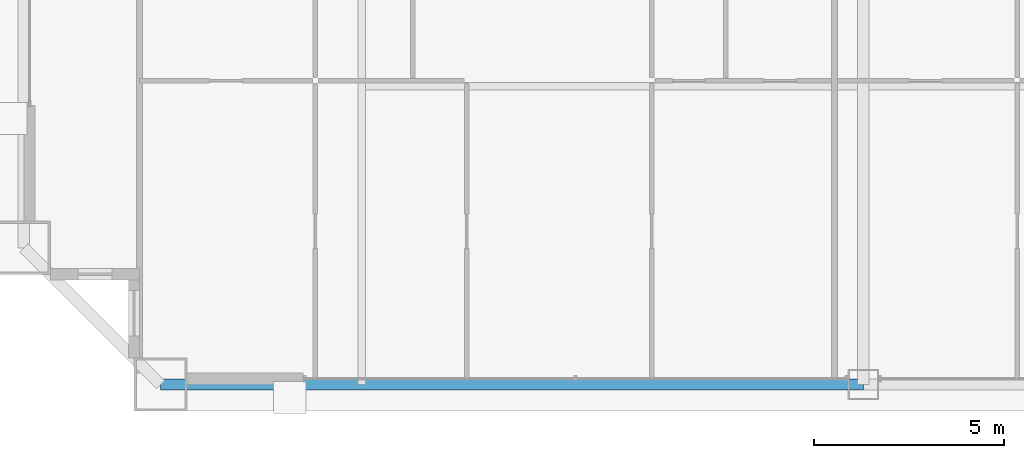
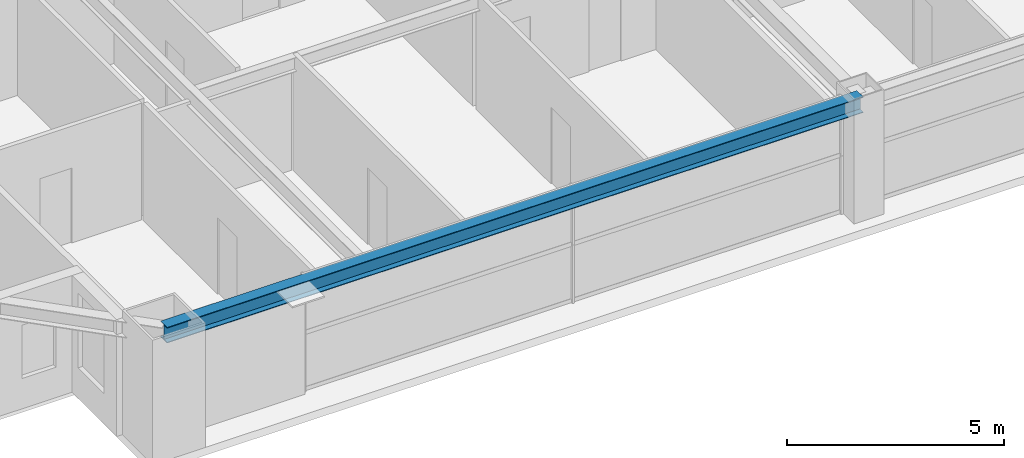
# One storey, part 5 of 38: 1 beam.
"""IFC4 building model written with IfcOpenShell, lengths in metres."""

import ifcopenshell
import ifcopenshell.guid

model = None  # the IFC model being written
_history = None  # IfcOwnerHistory: only IFC2X3 demands one
_inside = {}  # id of a spatial element -> (the spatial element, [elements in it])
_under = {}  # id of a project, library or spatial element -> (it, [spatial elements below it])
_declared = {}  # id of a project -> (the project, [libraries it declares])
_typed = {}  # id of a type object -> (the type object, [elements of that type])
_made_of = {}  # id of a material, layer set ... -> (it, [elements and type objects made of it])


def new_model(schema):
    """Start an empty IFC model of exactly this schema.

    Asked for "IFC4X3", IfcOpenShell would pick the latest addendum, in which some entities
    have other attributes; the version numbers below select the first issue.
    IFC2X3 requires an IfcOwnerHistory on every rooted entity: one is made here for all.
    """
    global model, _history
    if schema == "IFC4X3":
        model = ifcopenshell.file(schema_version=(4, 3, 0, 0))
    else:
        model = ifcopenshell.file(schema=schema)
    _inside.clear()
    _under.clear()
    _declared.clear()
    _typed.clear()
    _made_of.clear()
    _history = None
    if model.schema == "IFC2X3":
        org = make("IfcOrganization", Name="unknown")
        user = make(
            "IfcPersonAndOrganization",
            ThePerson=make("IfcPerson", FamilyName="unknown"),
            TheOrganization=org,
        )
        app = make(
            "IfcApplication",
            ApplicationDeveloper=org,
            Version="unknown",
            ApplicationFullName="unknown",
            ApplicationIdentifier="unknown",
        )
        _history = make(
            "IfcOwnerHistory",
            OwningUser=user,
            OwningApplication=app,
            ChangeAction="ADDED",
            CreationDate=0,
        )
    return model


def make(cls, **values):
    """One entity of the class cls with the attributes given. An attribute that is None is left unset."""
    return model.create_entity(
        cls, **{name: value for name, value in values.items() if value is not None}
    )


def rooted(cls, **values):
    """An entity with a GlobalId (a new one), such as an element, a storey or a relation."""
    return make(cls, GlobalId=ifcopenshell.guid.new(), OwnerHistory=_history, **values)


def si_unit(unit_type, name, prefix=None):
    """IfcSIUnit, for example si_unit("LENGTHUNIT", "METRE", prefix="MILLI")."""
    return make("IfcSIUnit", UnitType=unit_type, Prefix=prefix, Name=name)


def assignment(units):
    """IfcUnitAssignment: the units of a project."""
    return None if units is None else make("IfcUnitAssignment", Units=units)


def point(xyz):
    """IfcCartesianPoint."""
    return None if xyz is None else make("IfcCartesianPoint", Coordinates=xyz)


def direction(xyz):
    """IfcDirection."""
    return None if xyz is None else make("IfcDirection", DirectionRatios=xyz)


def frame(location, z_axis=None, x_axis=None):
    """IfcAxis2Placement3D, a coordinate frame: its origin and axes. An axis left out is left unset."""
    return make(
        "IfcAxis2Placement3D",
        Location=point(location),
        Axis=direction(z_axis),
        RefDirection=direction(x_axis),
    )


def frame_2d(location, x_axis=None):
    """IfcAxis2Placement2D, a coordinate frame in the plane: its origin and x axis."""
    return make(
        "IfcAxis2Placement2D", Location=point(location), RefDirection=direction(x_axis)
    )


def origin():
    """The frame at (0, 0, 0) with its axes left unset."""
    return frame((0.0, 0.0, 0.0))


def origin_2d():
    """The frame at (0, 0) in the plane with its x axis left unset."""
    return frame_2d((0.0, 0.0))


def place(relative_to, where):
    """IfcLocalPlacement: puts the frame where relative to a parent placement (None: the world)."""
    return make(
        "IfcLocalPlacement", PlacementRelTo=relative_to, RelativePlacement=where
    )


def context(
    kind, dimensions, precision=None, world=None, true_north=None, identifier=None
):
    """IfcGeometricRepresentationContext, for example the 3D "Model" context."""
    return make(
        "IfcGeometricRepresentationContext",
        ContextIdentifier=identifier,
        ContextType=kind,
        CoordinateSpaceDimension=dimensions,
        Precision=precision,
        WorldCoordinateSystem=world,
        TrueNorth=true_north,
    )


def subcontext(parent, identifier, kind, view, scale=None):
    """IfcGeometricRepresentationSubContext, for example "Body" below "Model"."""
    return make(
        "IfcGeometricRepresentationSubContext",
        ContextIdentifier=identifier,
        ContextType=kind,
        ParentContext=parent,
        TargetScale=scale,
        TargetView=view,
    )


def project(units=None, contexts=None):
    """IfcProject with its units and contexts."""
    return rooted(
        "IfcProject",
        Name="project",
        RepresentationContexts=contexts,
        UnitsInContext=assignment(units),
    )


def spatial(cls, under=None, at=None, **own):
    """A site, building, storey or space (cls), placed at a placement, below another one or the project."""
    s = rooted(cls, ObjectPlacement=at, **own)
    if under is not None:
        _under.setdefault(under.id(), (under, []))[1].append(s)
    return s


def profile(cls, at=None, kind="AREA", **sizes):
    """A parametric profile (cls). Its sizes go by their IFC names, for example OverallWidth=200.0."""
    return make(cls, ProfileType=kind, Position=at, **sizes)


def i_section(**sizes):
    """IfcIShapeProfileDef."""
    return profile("IfcIShapeProfileDef", **sizes)


def extrude(swept, where, along, depth):
    """IfcExtrudedAreaSolid: the profile swept, set in the frame where, extruded along a direction by depth."""
    return make(
        "IfcExtrudedAreaSolid",
        SweptArea=swept,
        Position=where,
        ExtrudedDirection=direction(along),
        Depth=depth,
    )


def shape(context_of_items, identifier, shape_type, items):
    """IfcShapeRepresentation: the items that make up one representation, for example the "Body"."""
    return make(
        "IfcShapeRepresentation",
        ContextOfItems=context_of_items,
        RepresentationIdentifier=identifier,
        RepresentationType=shape_type,
        Items=items,
    )


def source(mapping_origin, context_of_items, identifier, shape_type, items):
    """IfcRepresentationMap: a shape defined once, which mapped items show again and again."""
    return make(
        "IfcRepresentationMap",
        MappingOrigin=mapping_origin,
        MappedRepresentation=shape(context_of_items, identifier, shape_type, items),
    )


def transform(
    local_origin,
    x_axis=None,
    y_axis=None,
    z_axis=None,
    scale=None,
    scale2=None,
    scale3=None,
    uniform=True,
):
    """IfcCartesianTransformationOperator3D, or its non-uniform kind. x_axis, y_axis, z_axis: its Axis1, 2, 3."""
    if uniform:
        return make(
            "IfcCartesianTransformationOperator3D",
            Axis1=direction(x_axis),
            Axis2=direction(y_axis),
            LocalOrigin=point(local_origin),
            Scale=scale,
            Axis3=direction(z_axis),
        )
    return make(
        "IfcCartesianTransformationOperator3DnonUniform",
        Axis1=direction(x_axis),
        Axis2=direction(y_axis),
        LocalOrigin=point(local_origin),
        Scale=scale,
        Axis3=direction(z_axis),
        Scale2=scale2,
        Scale3=scale3,
    )


def mapped(mapping_source, mapping_target):
    """IfcMappedItem: shows the shape of a source again, moved by a transform."""
    return make(
        "IfcMappedItem", MappingSource=mapping_source, MappingTarget=mapping_target
    )


def material(Name=None, Category=None):
    """IfcMaterial."""
    return make("IfcMaterial", Name=Name, Category=Category)


def material_profile(
    of_material, cross_section, Name=None, Category=None, Priority=None
):
    """IfcMaterialProfile: a cross section and its material."""
    return make(
        "IfcMaterialProfile",
        Name=Name,
        Material=of_material,
        Profile=cross_section,
        Priority=Priority,
        Category=Category,
    )


def profile_set(profiles, Name=None, composite=None):
    """IfcMaterialProfileSet."""
    return make(
        "IfcMaterialProfileSet",
        Name=Name,
        MaterialProfiles=profiles,
        CompositeProfile=composite,
    )


def made_of(thing, what):
    """Note that an element or type object is made of a material, layer set ...; save() writes the relation."""
    if what is not None:
        _made_of.setdefault(what.id(), (what, []))[1].append(thing)
    return thing


def type_object(cls, material=None, **own):
    """A type object (cls), such as IfcWallType, which elements share."""
    return made_of(rooted(cls, **own), material)


def element(
    cls,
    number,
    at=None,
    inside=None,
    cuts=None,
    type_object=None,
    material=None,
    context=None,
    identifier="Body",
    shape_type=None,
    held_by="IfcProductDefinitionShape",
    body=None,
    shapes=None,
    **own,
):
    """One element of the class cls, such as IfcWall. Its Tag is "e" and its number.

    at: its placement. inside: the storey or other place that contains it. cuts: it is an
    opening in that element (IfcRelVoidsElement). A single representation is given by context,
    identifier, shape_type and body (its items); several are given by shapes. held_by: the class
    of the entity that holds the representations. save() writes the other relations.
    """
    e = rooted(cls, Tag="e%d" % number, ObjectPlacement=at, **own)
    if body is not None:
        shapes = [shape(context, identifier, shape_type, body)]
    if shapes is not None:
        e.Representation = make(held_by, Representations=shapes)
    if inside is not None:
        _inside.setdefault(inside.id(), (inside, []))[1].append(e)
    if cuts is not None:
        rooted(
            "IfcRelVoidsElement", RelatingBuildingElement=cuts, RelatedOpeningElement=e
        )
    if type_object is not None:
        _typed.setdefault(type_object.id(), (type_object, []))[1].append(e)
    return made_of(e, material)


def aggregate(whole, parts):
    """IfcRelAggregates: a whole, such as a stair, and the parts it consists of."""
    return rooted("IfcRelAggregates", RelatingObject=whole, RelatedObjects=parts)


def save(model, path):
    """Write the relations noted so far, then the file.

    IfcRelAggregates (storeys below a building ...), IfcRelContainedInSpatialStructure (elements
    in a storey), IfcRelDefinesByType, IfcRelAssociatesMaterial and IfcRelDeclares: one each for
    every whole, place, type object, material and project.
    """
    for whole, parts in _under.values():
        aggregate(whole, parts)
    for where, things in _inside.values():
        rooted(
            "IfcRelContainedInSpatialStructure",
            RelatedElements=things,
            RelatingStructure=where,
        )
    for kind, things in _typed.values():
        rooted("IfcRelDefinesByType", RelatedObjects=things, RelatingType=kind)
    for what, things in _made_of.values():
        rooted("IfcRelAssociatesMaterial", RelatedObjects=things, RelatingMaterial=what)
    for by, libraries in _declared.values():
        rooted("IfcRelDeclares", RelatingContext=by, RelatedDefinitions=libraries)
    model.write(path)


model = new_model("IFC4")

# Units and contexts
model_context = context("Model", 3, precision=1e-05, world=origin(), true_north=direction((0.0, 1.0)))
body_context = subcontext(model_context, "Body", "Model", "MODEL_VIEW")
ifc_project = project(units=[si_unit("LENGTHUNIT", "METRE"), si_unit("AREAUNIT", "SQUARE_METRE"), si_unit("VOLUMEUNIT", "CUBIC_METRE"), si_unit("PLANEANGLEUNIT", "RADIAN"), si_unit("MASSUNIT", "GRAM", prefix="KILO"), si_unit("THERMODYNAMICTEMPERATUREUNIT", "KELVIN"), si_unit("POWERUNIT", "WATT")], contexts=[model_context])

# Site, building, storey
site_placement = place(None, origin())
site = spatial("IfcSite", under=ifc_project, at=site_placement, CompositionType="ELEMENT")
building_placement = place(site_placement, origin())
building = spatial("IfcBuilding", under=site, at=building_placement, Name="Yuzanri Waterfront Tower", CompositionType="ELEMENT")
storey_placement = place(building_placement, frame((0.0, 0.0, 195.0)))
storey = spatial("IfcBuildingStorey", under=building, at=storey_placement, Name="L51", CompositionType="ELEMENT", Elevation=195.0)

# Beam
ifc_material = material(Name="Steel Q355B", Category="steel")
ifc_material_profile = material_profile(ifc_material, i_section(OverallWidth=0.300048828125, OverallDepth=0.43994140625, WebThickness=0.010986328125, FlangeThickness=0.01806640625, at=origin_2d()), Name="HM 440x300x11x18")
ifc_profile_set = profile_set([ifc_material_profile], Name="Steel Q355B")
beam_type = type_object("IfcBeamType", Name="Perimeter Spandrel Q355B HM 440x300", PredefinedType="SPANDREL", material=ifc_profile_set)
shared_shape = source(origin(), body_context, "Body", "SweptSolid", [
    extrude(i_section(OverallWidth=0.300048828125, OverallDepth=0.43994140625, WebThickness=0.010986328125, FlangeThickness=0.01806640625, at=origin_2d()), origin(), (0.0, 0.0, 1.0), 18.5),
])
beam_placement = place(storey_placement, frame((18.5, 3.699951171875, 3.06005859375), z_axis=(1.0, 0.0, 0.0), x_axis=(0.0, 1.0, 0.0)))
element("IfcBeam", 1, at=beam_placement, inside=storey, type_object=beam_type, Name="L51 Perimeter Spandrel S1-S2", PredefinedType="SPANDREL", context=body_context, shape_type="MappedRepresentation", body=[
    mapped(shared_shape, transform((0.0, 0.0, 0.0), scale=1.0)),
])

save(model, "model.ifc")
